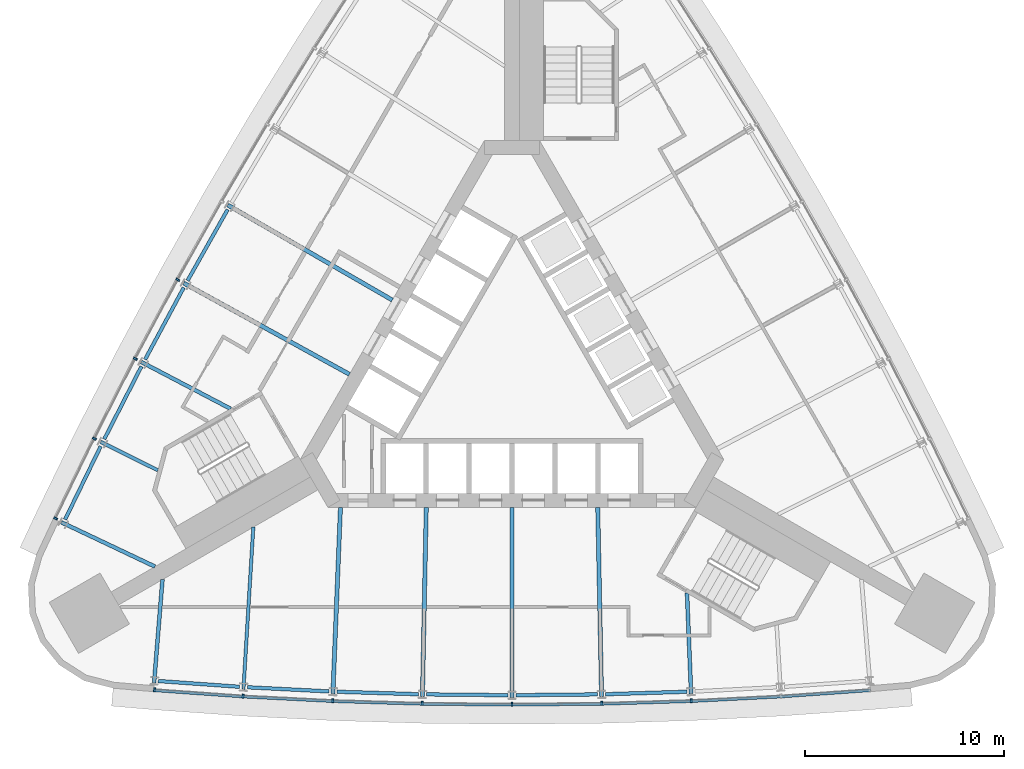
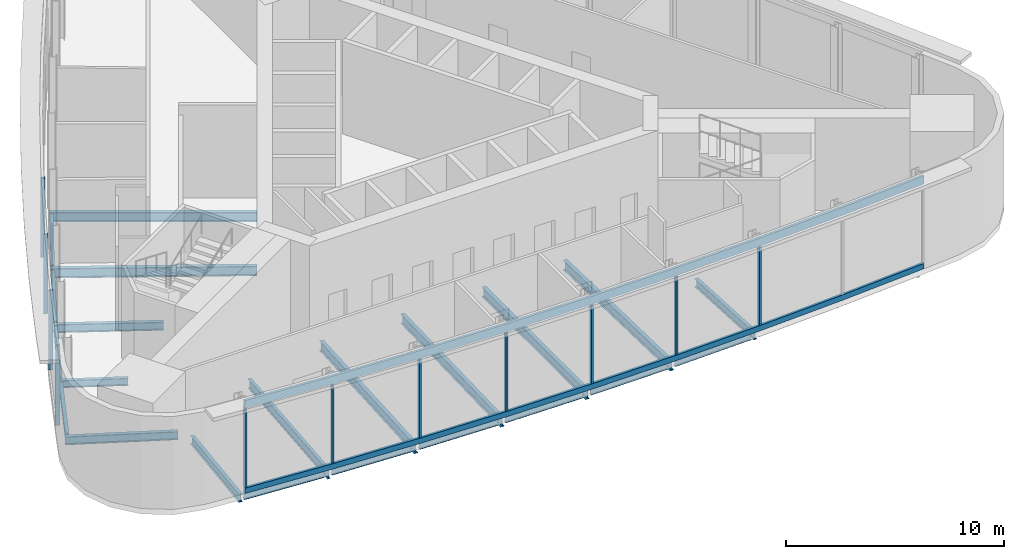
# One storey, part 2 of 11: 22 beams, 13 members, 2 elements without a shape of their own.
"""IFC4 building model written with IfcOpenShell, lengths in metres."""

from ifc_helpers import new_model, si_unit, direction, frame, origin, origin_2d, place, context, subcontext, project, spatial, polyline, rectangle, i_section, outline, extrude, material, material_profile, profile_set, type_object, element, aggregate, save


model = new_model("IFC4")

# Units and contexts
model_context = context("Model", 3, precision=1e-05, world=origin(), true_north=direction((0.0, 1.0)))
body_context = subcontext(model_context, "Body", "Model", "MODEL_VIEW")
ifc_project = project(units=[si_unit("LENGTHUNIT", "METRE"), si_unit("AREAUNIT", "SQUARE_METRE"), si_unit("VOLUMEUNIT", "CUBIC_METRE"), si_unit("PLANEANGLEUNIT", "RADIAN"), si_unit("MASSUNIT", "GRAM", prefix="KILO")], contexts=[model_context])

# Site, building, storey
site_placement = place(None, origin())
site = spatial("IfcSite", under=ifc_project, at=site_placement, CompositionType="ELEMENT")
building_placement = place(site_placement, origin())
building = spatial("IfcBuilding", under=site, at=building_placement, Name="Noor Cloister Tower", CompositionType="ELEMENT")
storey_placement = place(building_placement, frame((0.0, 0.0, 134.699951171875)))
storey = spatial("IfcBuildingStorey", under=building, at=storey_placement, Name="L34", CompositionType="ELEMENT", Elevation=134.699951171875)

# Curtain wall, member
ifc_material_1 = material(Name="Aluminium 6063-T6 anodised", Category="aluminium")
curtain_wall_type = type_object("IfcCurtainWallType", Name="Full height glass wall, sky lobby and observation deck CW3", PredefinedType="NOTDEFINED", material=ifc_material_1)
curtain_wall_1_placement = place(storey_placement, origin())
curtain_wall_1 = element("IfcCurtainWall", 1, at=curtain_wall_1_placement, inside=storey, type_object=curtain_wall_type, Name="CW3 L34 S run 2", PredefinedType="NOTDEFINED")
ifc_material_2 = material(Name="Aluminium 6063-T6 anodised", Category="aluminium")
member_type_1 = type_object("IfcMemberType", Name="Head transom CW3 450", PredefinedType="USERDEFINED", material=ifc_material_2)
member_1_placement = place(storey_placement, frame((0.0, 0.0, 4.75)))
member_1 = element("IfcMember", 2, at=member_1_placement, type_object=member_type_1, Name="CW3 head transom", ObjectType="TRANSOM", PredefinedType="USERDEFINED", context=body_context, shape_type="SweptSolid", body=[
    extrude(outline(polyline([(-17.980224609375, -16.1689453125), (-13.49169921875, -16.48828125), (-8.99755859375, -16.716552734375), (-4.499755859375, -16.853515625), (0.0, -16.899169921875), (4.499755859375, -16.853515625), (8.99755859375, -16.716552734375), (13.49169921875, -16.48828125), (17.980224609375, -16.1689453125), (17.97021484375, -16.029296875), (13.483154296875, -16.3486328125), (8.991943359375, -16.57666015625), (4.496826171875, -16.713623046875), (0.0, -16.759033203125), (-4.496826171875, -16.713623046875), (-8.991943359375, -16.57666015625), (-13.483154296875, -16.3486328125), (-17.97021484375, -16.029296875), (-17.980224609375, -16.1689453125)])), origin(), (0.0, 0.0, 1.0), 0.449951171875),
])

# Curtain wall, members
curtain_wall_2_placement = place(storey_placement, origin())
curtain_wall_2 = element("IfcCurtainWall", 3, at=curtain_wall_2_placement, inside=storey, type_object=curtain_wall_type, Name="CW3 L34 NW run 1", PredefinedType="NOTDEFINED")
ifc_material_3 = material(Name="Aluminium 6063-T6 anodised", Category="aluminium")
ifc_material_profile_1 = material_profile(ifc_material_3, rectangle(XDim=0.199951171875, YDim=0.10009765625, at=origin_2d()), Name="200 x 100 mullion")
ifc_profile_set_1 = profile_set([ifc_material_profile_1], Name="Aluminium 6063-T6 anodised")
member_type_2 = type_object("IfcMemberType", Name="Mullion CW3 100 x 200", PredefinedType="MULLION", material=ifc_profile_set_1)
member_2_placement = place(storey_placement, frame((-16.7578125, 4.481689453125, 0.300048828125), z_axis=(0.0, 0.0, 1.0), x_axis=(0.875993769707, -0.482322418549, 0.0)))
member_2 = element("IfcMember", 4, at=member_2_placement, type_object=member_type_2, Name="CW3 mullion 6", PredefinedType="MULLION", context=body_context, shape_type="SweptSolid", body=[
    extrude(rectangle(XDim=0.199951171875, YDim=0.10009765625, at=origin_2d()), origin(), (0.0, 0.0, 1.0), 4.449951171875),
])
member_3_placement = place(storey_placement, frame((-18.88720703125, 0.519775390625, 0.300048828125), z_axis=(0.0, 0.0, 1.0), x_axis=(0.885601336169, -0.464446200733, 0.0)))
member_3 = element("IfcMember", 5, at=member_3_placement, type_object=member_type_2, Name="CW3 mullion 7", PredefinedType="MULLION", context=body_context, shape_type="SweptSolid", body=[
    extrude(rectangle(XDim=0.199951171875, YDim=0.10009765625, at=origin_2d()), origin(), (0.0, 0.0, 1.0), 4.449951171875),
])
member_4_placement = place(storey_placement, frame((-20.935546875, -3.484619140625, 0.300048828125), z_axis=(0.0, 0.0, 1.0), x_axis=(0.894844162674, -0.446378678398, 0.0)))
member_4 = element("IfcMember", 6, at=member_4_placement, type_object=member_type_2, Name="CW3 mullion 8", PredefinedType="MULLION", context=body_context, shape_type="SweptSolid", body=[
    extrude(rectangle(XDim=0.199951171875, YDim=0.10009765625, at=origin_2d()), origin(), (0.0, 0.0, 1.0), 4.449951171875),
])
member_5_placement = place(storey_placement, frame((-22.881103515625, -7.485595703125, 0.300048828125), z_axis=(0.0, 0.0, 1.0), x_axis=(0.899327595933, -0.437275514056, 0.0)))
member_5 = element("IfcMember", 7, at=member_5_placement, type_object=member_type_2, Name="CW3 mullion 9", PredefinedType="MULLION", context=body_context, shape_type="SweptSolid", body=[
    extrude(rectangle(XDim=0.199951171875, YDim=0.10009765625, at=origin_2d()), origin(), (0.0, 0.0, 1.0), 4.449951171875),
])
aggregate(curtain_wall_2, [member_2, member_3, member_4, member_5])

# Member
member_6_placement = place(storey_placement, frame((-17.92333984375, -16.07275390625, 0.300048828125), z_axis=(0.0, 0.0, 1.0), x_axis=(0.070972094341, 0.997478301431, 0.0)))
member_6 = element("IfcMember", 8, at=member_6_placement, type_object=member_type_2, Name="CW3 mullion 1", PredefinedType="MULLION", context=body_context, shape_type="SweptSolid", body=[
    extrude(rectangle(XDim=0.199951171875, YDim=0.10009765625, at=origin_2d()), origin(), (0.0, 0.0, 1.0), 4.449951171875),
])

member_7_placement = place(storey_placement, frame((-13.485595703125, -16.388427734375, 0.300048828125), z_axis=(0.0, 0.0, 1.0), x_axis=(0.060846806136, 0.998147116503, 0.0)))
member_7 = element("IfcMember", 9, at=member_7_placement, type_object=member_type_2, Name="CW3 mullion 2", PredefinedType="MULLION", context=body_context, shape_type="SweptSolid", body=[
    extrude(rectangle(XDim=0.199951171875, YDim=0.10009765625, at=origin_2d()), origin(), (0.0, 0.0, 1.0), 4.449951171875),
])

member_8_placement = place(storey_placement, frame((-8.993408203125, -16.61669921875, 0.300048828125), z_axis=(0.0, 0.0, 1.0), x_axis=(0.040578459559, 0.999176355114, 0.0)))
member_8 = element("IfcMember", 10, at=member_8_placement, type_object=member_type_2, Name="CW3 mullion 3", PredefinedType="MULLION", context=body_context, shape_type="SweptSolid", body=[
    extrude(rectangle(XDim=0.199951171875, YDim=0.10009765625, at=origin_2d()), origin(), (0.0, 0.0, 1.0), 4.449951171875),
])

member_9_placement = place(storey_placement, frame((-4.49755859375, -16.75341796875, 0.300048828125), z_axis=(0.0, 0.0, 1.0), x_axis=(0.020293417575, 0.999794067397, 0.0)))
member_9 = element("IfcMember", 11, at=member_9_placement, type_object=member_type_2, Name="CW3 mullion 4", PredefinedType="MULLION", context=body_context, shape_type="SweptSolid", body=[
    extrude(rectangle(XDim=0.199951171875, YDim=0.10009765625, at=origin_2d()), origin(), (0.0, 0.0, 1.0), 4.449951171875),
])

member_10_placement = place(storey_placement, frame((0.0, -16.799072265625, 0.300048828125), z_axis=(0.0, 0.0, 1.0), x_axis=(0.0, 1.0, 0.0)))
member_10 = element("IfcMember", 12, at=member_10_placement, type_object=member_type_2, Name="CW3 mullion 5", PredefinedType="MULLION", context=body_context, shape_type="SweptSolid", body=[
    extrude(rectangle(XDim=0.199951171875, YDim=0.10009765625, at=origin_2d()), origin(), (0.0, 0.0, 1.0), 4.449951171875),
])

member_11_placement = place(storey_placement, frame((4.49755859375, -16.75341796875, 0.300048828125), z_axis=(0.0, 0.0, 1.0), x_axis=(-0.020293417575, 0.999794067397, 0.0)))
member_11 = element("IfcMember", 13, at=member_11_placement, type_object=member_type_2, Name="CW3 mullion 6", PredefinedType="MULLION", context=body_context, shape_type="SweptSolid", body=[
    extrude(rectangle(XDim=0.199951171875, YDim=0.10009765625, at=origin_2d()), origin(), (0.0, 0.0, 1.0), 4.449951171875),
])

member_12_placement = place(storey_placement, frame((8.993408203125, -16.61669921875, 0.300048828125), z_axis=(0.0, 0.0, 1.0), x_axis=(-0.040578459559, 0.999176355114, 0.0)))
member_12 = element("IfcMember", 14, at=member_12_placement, type_object=member_type_2, Name="CW3 mullion 7", PredefinedType="MULLION", context=body_context, shape_type="SweptSolid", body=[
    extrude(rectangle(XDim=0.199951171875, YDim=0.10009765625, at=origin_2d()), origin(), (0.0, 0.0, 1.0), 4.449951171875),
])

# Beams
ifc_material_4 = material(Name="Steel ASTM A992 Gr 50", Category="steel")
ifc_material_profile_2 = material_profile(ifc_material_4, i_section(OverallWidth=0.177978515625, OverallDepth=0.406005859375, WebThickness=0.0078125, FlangeThickness=0.0126953125, FilletRadius=0.01025390625, at=origin_2d()), Name="W410x60")
ifc_profile_set_2 = profile_set([ifc_material_profile_2], Name="Steel ASTM A992 Gr 50")
beam_type_1 = type_object("IfcBeamType", Name="Radial beam W410x60", PredefinedType="BEAM", material=ifc_profile_set_2)
beam_1_placement = place(storey_placement, frame((-20.628662109375, -3.6376953125, -0.5029296875), z_axis=(0.894836837894, -0.446393361899, 0.0), x_axis=(0.446393361899, 0.894836837894, 0.0)))
element("IfcBeam", 15, at=beam_1_placement, inside=storey, type_object=beam_type_1, Name="Radial beam NW 08 L34", PredefinedType="BEAM", context=body_context, shape_type="SweptSolid", body=[
    extrude(i_section(OverallWidth=0.177978515625, OverallDepth=0.406005859375, WebThickness=0.0078125, FlangeThickness=0.0126953125, FilletRadius=0.01025390625, at=origin_2d()), origin(), (0.0, 0.0, 1.0), 3.21533203125),
])
ifc_material_5 = material(Name="Steel ASTM A992 Gr 50", Category="steel")
ifc_material_profile_3 = material_profile(ifc_material_5, i_section(OverallWidth=0.19091796875, OverallDepth=0.45703125, WebThickness=0.009033203125, FlangeThickness=0.014404296875, FilletRadius=0.01025390625, at=origin_2d()), Name="W460x74")
ifc_profile_set_3 = profile_set([ifc_material_profile_3], Name="Steel ASTM A992 Gr 50")
beam_type_2 = type_object("IfcBeamType", Name="Radial beam W460x74", PredefinedType="BEAM", material=ifc_profile_set_3)
beam_2_placement = place(storey_placement, frame((-18.58349609375, 0.3603515625, -0.528564453125), z_axis=(0.885597745421, -0.46445304747, 0.0), x_axis=(0.46445304747, 0.885597745421, 0.0)))
element("IfcBeam", 16, at=beam_2_placement, inside=storey, type_object=beam_type_2, Name="Radial beam NW 07 L34", PredefinedType="BEAM", context=body_context, shape_type="SweptSolid", body=[
    extrude(i_section(OverallWidth=0.19091796875, OverallDepth=0.45703125, WebThickness=0.009033203125, FlangeThickness=0.014404296875, FilletRadius=0.01025390625, at=origin_2d()), origin(), (0.0, 0.0, 1.0), 5.051025390625),
])
beam_3_placement = place(storey_placement, frame((-22.592529296875, -7.676513671875, -0.528564453125), z_axis=(0.903719654747, -0.428124731386, 0.0), x_axis=(0.428124731386, 0.903719654747, 0.0)))
element("IfcBeam", 17, at=beam_3_placement, inside=storey, type_object=beam_type_2, Name="Radial beam NW 09 L34", PredefinedType="BEAM", context=body_context, shape_type="SweptSolid", body=[
    extrude(i_section(OverallWidth=0.19091796875, OverallDepth=0.45703125, WebThickness=0.009033203125, FlangeThickness=0.014404296875, FilletRadius=0.01025390625, at=origin_2d()), origin(), (0.0, 0.0, 1.0), 5.194580078125),
])
beam_4_placement = place(storey_placement, frame((-17.9443359375, -15.727294921875, -0.528564453125), z_axis=(0.081077101353, 0.996707832635, 0.0), x_axis=(-0.996707832635, 0.081077101353, 0.0)))
element("IfcBeam", 18, at=beam_4_placement, inside=storey, type_object=beam_type_2, Name="Radial beam S 01 L34", PredefinedType="BEAM", context=body_context, shape_type="SweptSolid", body=[
    extrude(i_section(OverallWidth=0.19091796875, OverallDepth=0.45703125, WebThickness=0.009033203125, FlangeThickness=0.014404296875, FilletRadius=0.01025390625, at=origin_2d()), origin(), (0.0, 0.0, 1.0), 5.1943359375),
])
beam_5_placement = place(storey_placement, frame((8.9794921875, -16.27392578125, -0.528564453125), z_axis=(-0.040552913705, 0.999177392253, 0.0), x_axis=(-0.999177392253, -0.040552913705, 0.0)))
element("IfcBeam", 19, at=beam_5_placement, inside=storey, type_object=beam_type_2, Name="Radial beam S 07 L34", PredefinedType="BEAM", context=body_context, shape_type="SweptSolid", body=[
    extrude(i_section(OverallWidth=0.19091796875, OverallDepth=0.45703125, WebThickness=0.009033203125, FlangeThickness=0.014404296875, FilletRadius=0.01025390625, at=origin_2d()), origin(), (0.0, 0.0, 1.0), 5.051025390625),
])
ifc_material_6 = material(Name="Steel ASTM A992 Gr 50", Category="steel")
ifc_material_profile_4 = material_profile(ifc_material_6, i_section(OverallWidth=0.166015625, OverallDepth=0.528076171875, WebThickness=0.009765625, FlangeThickness=0.013671875, FilletRadius=0.0126953125, at=origin_2d()), Name="W530x74")
ifc_profile_set_4 = profile_set([ifc_material_profile_4], Name="Steel ASTM A992 Gr 50")
beam_type_3 = type_object("IfcBeamType", Name="Radial beam W530x74", PredefinedType="BEAM", material=ifc_profile_set_4)
beam_6_placement = place(storey_placement, frame((-13.464599609375, -16.046142578125, -0.56396484375), z_axis=(0.060822851271, 0.998148576497, 0.0), x_axis=(-0.998148576497, 0.060822851271, 0.0)))
element("IfcBeam", 20, at=beam_6_placement, inside=storey, type_object=beam_type_3, Name="Radial beam S 02 L34", PredefinedType="BEAM", context=body_context, shape_type="SweptSolid", body=[
    extrude(i_section(OverallWidth=0.166015625, OverallDepth=0.528076171875, WebThickness=0.009765625, FlangeThickness=0.013671875, FilletRadius=0.0126953125, at=origin_2d()), origin(), (0.0, 0.0, 1.0), 8.140380859375),
])
ifc_material_7 = material(Name="Steel ASTM A992 Gr 50", Category="steel")
ifc_material_profile_5 = material_profile(ifc_material_7, i_section(OverallWidth=0.208984375, OverallDepth=0.532958984375, WebThickness=0.01025390625, FlangeThickness=0.015625, FilletRadius=0.0126953125, at=origin_2d()), Name="W530x92")
ifc_profile_set_5 = profile_set([ifc_material_profile_5], Name="Steel ASTM A992 Gr 50")
beam_type_4 = type_object("IfcBeamType", Name="Radial beam W530x92", PredefinedType="BEAM", material=ifc_profile_set_5)
beam_7_placement = place(storey_placement, frame((-14.25146484375, 8.22802734375, -0.56640625), z_axis=(0.866028559269, -0.4999945345, 0.0), x_axis=(0.4999945345, 0.866028559269, 0.0)))
element("IfcBeam", 21, at=beam_7_placement, inside=storey, type_object=beam_type_4, Name="Radial beam NW 05 L34", PredefinedType="BEAM", context=body_context, shape_type="SweptSolid", body=[
    extrude(i_section(OverallWidth=0.208984375, OverallDepth=0.532958984375, WebThickness=0.01025390625, FlangeThickness=0.015625, FilletRadius=0.0126953125, at=origin_2d()), origin(), (0.0, 0.0, 1.0), 9.52783203125),
])
beam_8_placement = place(storey_placement, frame((-16.457275390625, 4.316162109375, -0.56640625), z_axis=(0.875992983041, -0.482323847289, 0.0), x_axis=(0.482323847289, 0.875992983041, 0.0)))
element("IfcBeam", 22, at=beam_8_placement, inside=storey, type_object=beam_type_4, Name="Radial beam NW 06 L34", PredefinedType="BEAM", context=body_context, shape_type="SweptSolid", body=[
    extrude(i_section(OverallWidth=0.208984375, OverallDepth=0.532958984375, WebThickness=0.01025390625, FlangeThickness=0.015625, FilletRadius=0.0126953125, at=origin_2d()), origin(), (0.0, 0.0, 1.0), 9.484130859375),
])
beam_9_placement = place(storey_placement, frame((-8.9794921875, -16.27392578125, -0.56640625), z_axis=(0.040562201716, 0.999177015244, 0.0), x_axis=(-0.999177015244, 0.040562201716, 0.0)))
element("IfcBeam", 23, at=beam_9_placement, inside=storey, type_object=beam_type_4, Name="Radial beam S 03 L34", PredefinedType="BEAM", context=body_context, shape_type="SweptSolid", body=[
    extrude(i_section(OverallWidth=0.208984375, OverallDepth=0.532958984375, WebThickness=0.01025390625, FlangeThickness=0.015625, FilletRadius=0.0126953125, at=origin_2d()), origin(), (0.0, 0.0, 1.0), 9.353515625),
])
beam_10_placement = place(storey_placement, frame((-4.49072265625, -16.41064453125, -0.56640625), z_axis=(0.020284188277, 0.999794254687, 0.0), x_axis=(-0.999794254687, 0.020284188277, 0.0)))
element("IfcBeam", 24, at=beam_10_placement, inside=storey, type_object=beam_type_4, Name="Radial beam S 04 L34", PredefinedType="BEAM", context=body_context, shape_type="SweptSolid", body=[
    extrude(i_section(OverallWidth=0.208984375, OverallDepth=0.532958984375, WebThickness=0.01025390625, FlangeThickness=0.015625, FilletRadius=0.0126953125, at=origin_2d()), origin(), (0.0, 0.0, 1.0), 9.484375),
])
beam_11_placement = place(storey_placement, frame((0.0, -16.4560546875, -0.56640625), z_axis=(0.0, 1.0, 0.0), x_axis=(-1.0, 0.0, 0.0)))
element("IfcBeam", 25, at=beam_11_placement, inside=storey, type_object=beam_type_4, Name="Radial beam S 05 L34", PredefinedType="BEAM", context=body_context, shape_type="SweptSolid", body=[
    extrude(i_section(OverallWidth=0.208984375, OverallDepth=0.532958984375, WebThickness=0.01025390625, FlangeThickness=0.015625, FilletRadius=0.0126953125, at=origin_2d()), origin(), (0.0, 0.0, 1.0), 9.52783203125),
])
beam_12_placement = place(storey_placement, frame((4.49072265625, -16.41064453125, -0.56640625), z_axis=(-0.020284188277, 0.999794254687, 0.0), x_axis=(-0.999794254687, -0.020284188277, 0.0)))
element("IfcBeam", 26, at=beam_12_placement, inside=storey, type_object=beam_type_4, Name="Radial beam S 06 L34", PredefinedType="BEAM", context=body_context, shape_type="SweptSolid", body=[
    extrude(i_section(OverallWidth=0.208984375, OverallDepth=0.532958984375, WebThickness=0.01025390625, FlangeThickness=0.015625, FilletRadius=0.0126953125, at=origin_2d()), origin(), (0.0, 0.0, 1.0), 9.484375),
])

# Member
ifc_material_8 = material(Name="Aluminium 6063-T6 anodised", Category="aluminium")
member_type_3 = type_object("IfcMemberType", Name="Sill transom CW3 300", PredefinedType="USERDEFINED", material=ifc_material_8)
member_13_placement = place(storey_placement, origin())
member_13 = element("IfcMember", 27, at=member_13_placement, type_object=member_type_3, Name="CW3 sill transom", ObjectType="TRANSOM", PredefinedType="USERDEFINED", context=body_context, shape_type="SweptSolid", body=[
    extrude(outline(polyline([(-17.980224609375, -16.1689453125), (-13.49169921875, -16.48828125), (-8.99755859375, -16.716552734375), (-4.499755859375, -16.853515625), (0.0, -16.899169921875), (4.499755859375, -16.853515625), (8.99755859375, -16.716552734375), (13.49169921875, -16.48828125), (17.980224609375, -16.1689453125), (17.97021484375, -16.029296875), (13.483154296875, -16.3486328125), (8.991943359375, -16.57666015625), (4.496826171875, -16.713623046875), (0.0, -16.759033203125), (-4.496826171875, -16.713623046875), (-8.991943359375, -16.57666015625), (-13.483154296875, -16.3486328125), (-17.97021484375, -16.029296875), (-17.980224609375, -16.1689453125)])), origin(), (0.0, 0.0, 1.0), 0.300048828125),
])

aggregate(curtain_wall_1, [member_6, member_7, member_8, member_9, member_10, member_11, member_12, member_13, member_1])

# Beams
ifc_material_9 = material(Name="Steel ASTM A992 Gr 50", Category="steel")
ifc_material_profile_6 = material_profile(ifc_material_9, i_section(OverallWidth=0.177978515625, OverallDepth=0.406005859375, WebThickness=0.0078125, FlangeThickness=0.0126953125, FilletRadius=0.01025390625, at=origin_2d()), Name="W410x60")
ifc_profile_set_6 = profile_set([ifc_material_profile_6], Name="Steel ASTM A992 Gr 50")
beam_type_5 = type_object("IfcBeamType", Name="Spandrel beam W410x60", PredefinedType="SPANDREL", material=ifc_profile_set_6)
for number, where, z_axis, x_axis, name in (
    (28, (-14.2568359375, 8.000732421875, -0.5029296875), (-0.491193449211, -0.871050512572, 0.0), (0.871050512572, -0.491193449211, 0.0), "Spandrel beam NW 05 L34"),
    (29, (-16.4580078125, 4.0888671875, -0.5029296875), (-0.473451797532, -0.880819729237, 0.0), (0.880819729237, -0.473451797532, 0.0), "Spandrel beam NW 06 L34"),
    (30, (-18.57958984375, 0.133056640625, -0.5029296875), (-0.455432892146, -0.890270116735, 0.0), (0.890270116735, -0.455432892146, 0.0), "Spandrel beam NW 07 L34"),
    (31, (-20.6201171875, -3.864990234375, -0.5029296875), (-0.437276535228, -0.899327099413, 0.0), (0.899327099413, -0.437276535228, 0.0), "Spandrel beam NW 08 L34"),
    (32, (-17.736572265625, -15.635009765625, -0.5029296875), (0.997477754952, -0.070979774411, 0.0), (0.070979774411, 0.997477754952, 0.0), "Spandrel beam S 01 L34"),
):
    element("IfcBeam", number, at=place(storey_placement, frame(where, z_axis=z_axis, x_axis=x_axis)), inside=storey, type_object=beam_type_5, Name=name, PredefinedType="SPANDREL", context=body_context, shape_type="SweptSolid", body=[
        extrude(i_section(OverallWidth=0.177978515625, OverallDepth=0.406005859375, WebThickness=0.0078125, FlangeThickness=0.0126953125, FilletRadius=0.01025390625, at=origin_2d()), origin(), (0.0, 0.0, 1.0), 4.089599609375),
    ])
for number, where, z_axis, x_axis, name in (
    (33, (-13.259033203125, -15.949462890625, -0.5029296875), (0.998711821136, -0.050741485234, 0.0), (0.050741485234, 0.998711821136, 0.0), "Spandrel beam S 02 L34"),
    (34, (-8.77587890625, -16.173095703125, -0.5029296875), (0.999536457164, -0.030444552864, 0.0), (0.030444552864, 0.999536457164, 0.0), "Spandrel beam S 03 L34"),
    (35, (-4.2890625, -16.3056640625, -0.5029296875), (0.999948506451, -0.010148125252, 0.0), (0.010148125252, 0.999948506451, 0.0), "Spandrel beam S 04 L34"),
    (36, (0.199462890625, -16.34716796875, -0.5029296875), (0.999948506451, 0.010148125252, 0.0), (-0.010148125252, 0.999948506451, 0.0), "Spandrel beam S 05 L34"),
    (37, (4.68798828125, -16.297607421875, -0.5029296875), (0.999536457164, 0.030444552864, 0.0), (-0.030444552864, 0.999536457164, 0.0), "Spandrel beam S 06 L34"),
):
    element("IfcBeam", number, at=place(storey_placement, frame(where, z_axis=z_axis, x_axis=x_axis)), inside=storey, type_object=beam_type_5, Name=name, PredefinedType="SPANDREL", context=body_context, shape_type="SweptSolid", body=[
        extrude(i_section(OverallWidth=0.177978515625, OverallDepth=0.406005859375, WebThickness=0.0078125, FlangeThickness=0.0126953125, FilletRadius=0.01025390625, at=origin_2d()), origin(), (0.0, 0.0, 1.0), 4.08984375),
    ])

save(model, "model.ifc")
